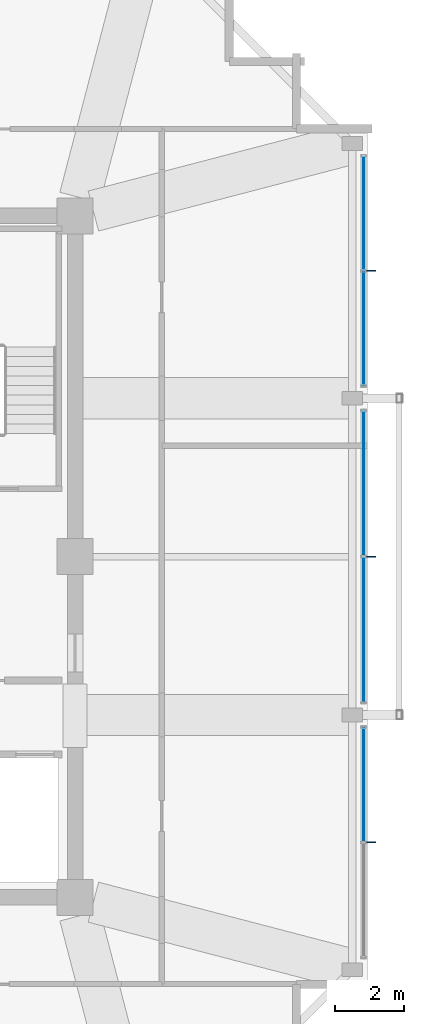
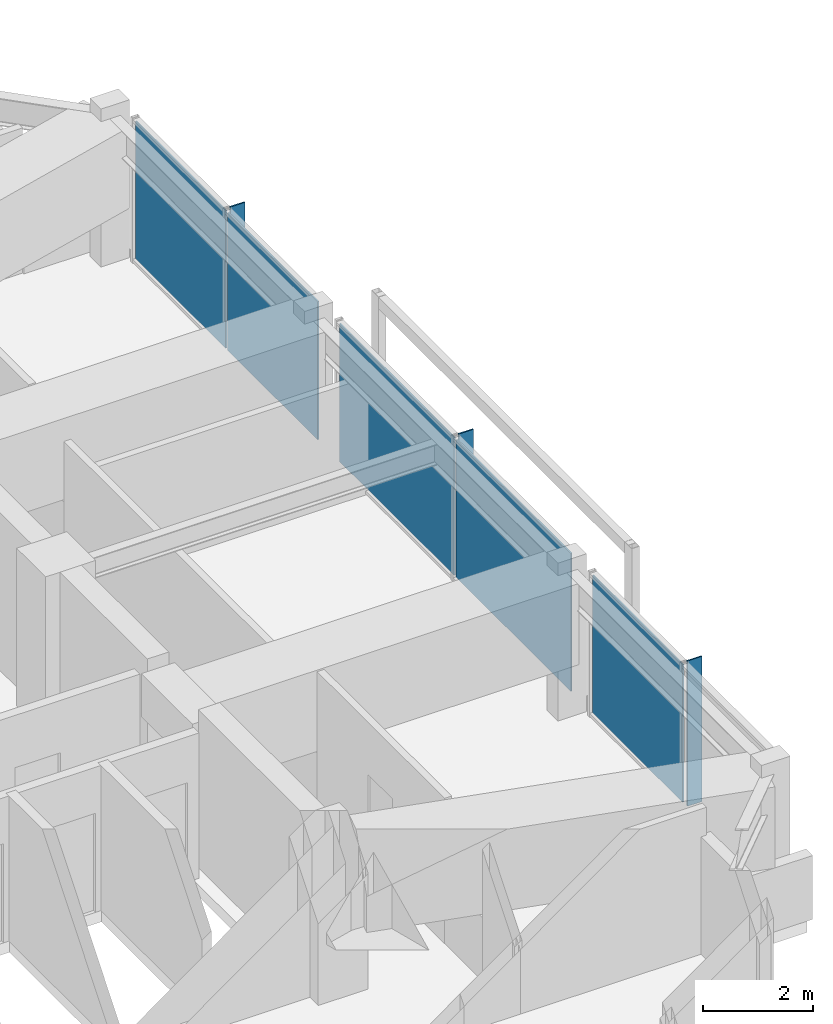
# One storey, part 24 of 30: 8 plates, 3 elements without a shape of their own.
"""IFC4 building model written with IfcOpenShell, lengths in metres."""

from ifc_helpers import new_model, si_unit, direction, frame, origin, origin_2d, place, context, subcontext, project, spatial, rectangle, extrude, material, layer, layer_set, type_object, element, aggregate, save


model = new_model("IFC4")

# Units and contexts
model_context = context("Model", 3, precision=1e-05, world=origin(), true_north=direction((0.0, 1.0)))
body_context = subcontext(model_context, "Body", "Model", "MODEL_VIEW")
ifc_project = project(units=[si_unit("LENGTHUNIT", "METRE"), si_unit("AREAUNIT", "SQUARE_METRE"), si_unit("VOLUMEUNIT", "CUBIC_METRE"), si_unit("PLANEANGLEUNIT", "RADIAN"), si_unit("MASSUNIT", "GRAM", prefix="KILO")], contexts=[model_context])

# Site, building, storey
site_placement = place(None, origin())
site = spatial("IfcSite", under=ifc_project, at=site_placement, CompositionType="ELEMENT")
building_placement = place(site_placement, origin())
building = spatial("IfcBuilding", under=site, at=building_placement, Name="Kolvaren Belvedere", CompositionType="ELEMENT")
storey_placement = place(building_placement, frame((0.0, 0.0, 254.89990234375)))
storey = spatial("IfcBuildingStorey", under=building, at=storey_placement, Name="L74", CompositionType="ELEMENT", Elevation=254.89990234375)

# Curtain wall, plates
ifc_material_1 = material(Name="Anodised pale-metal aluminium AA 6063-T6", Category="aluminium")
curtain_wall_type = type_object("IfcCurtainWallType", Name="CW-Z5-HIGH", PredefinedType="NOTDEFINED", material=ifc_material_1)
curtain_wall_1_placement = place(storey_placement, origin())
curtain_wall_1 = element("IfcCurtainWall", 1, at=curtain_wall_1_placement, inside=storey, type_object=curtain_wall_type, Name="L74 Unitised Curtain Wall FCW-L74-E-B1", PredefinedType="NOTDEFINED")
ifc_material_2 = material(Name="Low-iron triple insulated glass", Category="glass")
ifc_layer_1 = layer(ifc_material_2, 0.028076171875)
ifc_layer_set_1 = layer_set([ifc_layer_1], Name="Low-iron triple insulated glass")
plate_type_1 = type_object("IfcPlateType", Name="CW-PNL-VIS28", PredefinedType="CURTAIN_PANEL", material=ifc_layer_set_1)
plate_1_placement = place(storey_placement, frame((18.280029296875, 9.972412109375, 0.080078125), z_axis=(0.0, 0.0, 1.0), x_axis=(0.0, -1.0, 0.0)))
plate_1 = element("IfcPlate", 2, at=plate_1_placement, type_object=plate_type_1, Name="FCW-L74-E-B1 Vision Glazing Panel 1", PredefinedType="CURTAIN_PANEL", context=body_context, shape_type="SweptSolid", body=[
    extrude(rectangle(XDim=3.264892578125, YDim=0.028076171875, at=origin_2d()), origin(), (0.0, 0.0, 1.0), 3.06005859375),
])
plate_2_placement = place(storey_placement, frame((18.280029296875, 6.62744140625, 0.080078125), z_axis=(0.0, 0.0, 1.0), x_axis=(0.0, -1.0, 0.0)))
plate_2 = element("IfcPlate", 3, at=plate_2_placement, type_object=plate_type_1, Name="FCW-L74-E-B1 Vision Glazing Panel 2", PredefinedType="CURTAIN_PANEL", context=body_context, shape_type="SweptSolid", body=[
    extrude(rectangle(XDim=3.264892578125, YDim=0.028076171875, at=origin_2d()), origin(), (0.0, 0.0, 1.0), 3.06005859375),
])
aggregate(curtain_wall_1, [plate_1, plate_2])

curtain_wall_2_placement = place(storey_placement, origin())
curtain_wall_2 = element("IfcCurtainWall", 4, at=curtain_wall_2_placement, inside=storey, type_object=curtain_wall_type, Name="L74 Unitised Curtain Wall FCW-L74-E-B2", PredefinedType="NOTDEFINED")
plate_3_placement = place(storey_placement, frame((18.280029296875, 2.12255859375, 0.080078125), z_axis=(0.0, 0.0, 1.0), x_axis=(0.0, -1.0, 0.0)))
plate_3 = element("IfcPlate", 5, at=plate_3_placement, type_object=plate_type_1, Name="FCW-L74-E-B2 Vision Glazing Panel 1", PredefinedType="CURTAIN_PANEL", context=body_context, shape_type="SweptSolid", body=[
    extrude(rectangle(XDim=4.1650390625, YDim=0.028076171875, at=origin_2d()), origin(), (0.0, 0.0, 1.0), 3.06005859375),
])
plate_4_placement = place(storey_placement, frame((18.280029296875, -2.12255859375, 0.080078125), z_axis=(0.0, 0.0, 1.0), x_axis=(0.0, -1.0, 0.0)))
plate_4 = element("IfcPlate", 6, at=plate_4_placement, type_object=plate_type_1, Name="FCW-L74-E-B2 Vision Glazing Panel 2", PredefinedType="CURTAIN_PANEL", context=body_context, shape_type="SweptSolid", body=[
    extrude(rectangle(XDim=4.1650390625, YDim=0.028076171875, at=origin_2d()), origin(), (0.0, 0.0, 1.0), 3.06005859375),
])
aggregate(curtain_wall_2, [plate_3, plate_4])

# Curtain wall, plate
curtain_wall_3_placement = place(storey_placement, origin())
curtain_wall_3 = element("IfcCurtainWall", 7, at=curtain_wall_3_placement, inside=storey, type_object=curtain_wall_type, Name="L74 Unitised Curtain Wall FCW-L74-E-B3", PredefinedType="NOTDEFINED")
plate_5_placement = place(storey_placement, frame((18.280029296875, -6.62744140625, 0.080078125), z_axis=(0.0, 0.0, 1.0), x_axis=(0.0, -1.0, 0.0)))
plate_5 = element("IfcPlate", 8, at=plate_5_placement, type_object=plate_type_1, Name="FCW-L74-E-B3 Vision Glazing Panel 1", PredefinedType="CURTAIN_PANEL", context=body_context, shape_type="SweptSolid", body=[
    extrude(rectangle(XDim=3.264892578125, YDim=0.028076171875, at=origin_2d()), origin(), (0.0, 0.0, 1.0), 3.06005859375),
])
aggregate(curtain_wall_3, [plate_5])

# Plates
ifc_material_3 = material(Name="Anodised pale-metal aluminium AA 6063-T6", Category="aluminium")
ifc_layer_2 = layer(ifc_material_3, 0.030029296875)
ifc_layer_set_2 = layer_set([ifc_layer_2], Name="Anodised pale-metal aluminium AA 6063-T6")
plate_type_2 = type_object("IfcPlateType", Name="FIN-VERT-300", PredefinedType="USERDEFINED", material=ifc_layer_set_2)
for number, where, z_axis, x_axis, name in (
    (9, (18.489990234375, 8.300048828125, 0.0), (0.0, 0.0, 1.0), (1.0, 0.0, 0.0), "L74 Pale-Metal Vertical Shading Fin FCW-L74-E-B1-1"),
    (10, (18.489990234375, 0.0, 0.0), (0.0, 0.0, 1.0), (1.0, 0.0, 0.0), "L74 Pale-Metal Vertical Shading Fin FCW-L74-E-B2-1"),
    (11, (18.489990234375, -8.300048828125, 0.0), (0.0, 0.0, 1.0), (1.0, 0.0, 0.0), "L74 Pale-Metal Vertical Shading Fin FCW-L74-E-B3-1"),
):
    element("IfcPlate", number, at=place(storey_placement, frame(where, z_axis=z_axis, x_axis=x_axis)), inside=storey, type_object=plate_type_2, Name=name, ObjectType="VERTICAL FIN", PredefinedType="USERDEFINED", context=body_context, shape_type="SweptSolid", body=[
        extrude(rectangle(XDim=0.300048828125, YDim=0.030029296875, at=origin_2d()), origin(), (0.0, 0.0, 1.0), 3.219970703125),
    ])

save(model, "model.ifc")
